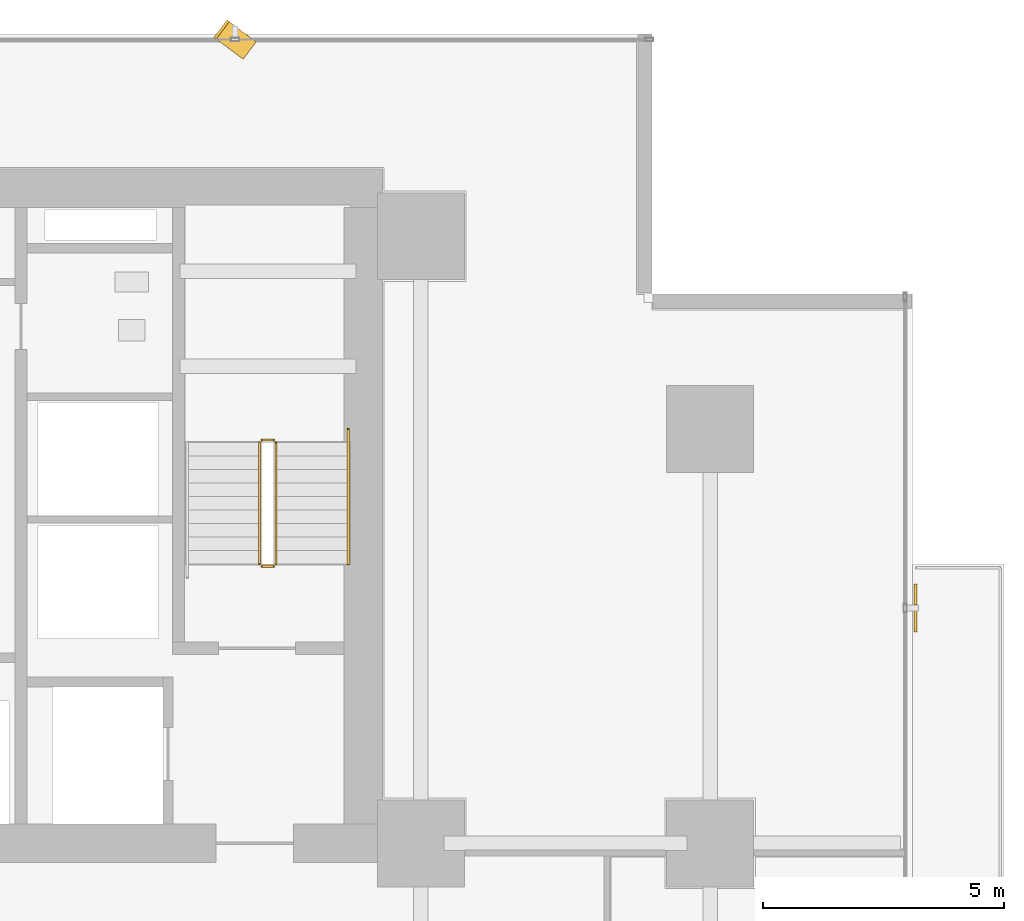
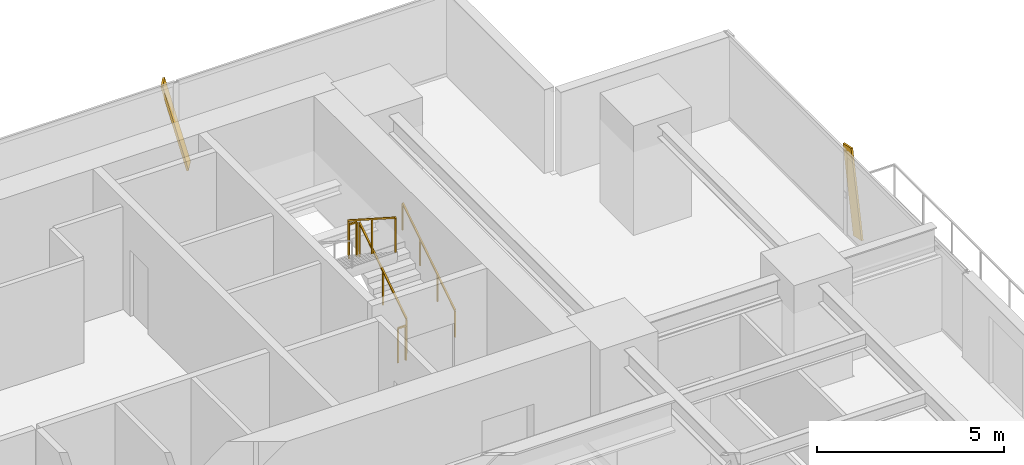
# One storey, part 32 of 33: 5 railings, 2 shading devices.
"""IFC4 building model written with IfcOpenShell, lengths in metres."""

import ifcopenshell
import ifcopenshell.guid

model = None  # the IFC model being written
_history = None  # IfcOwnerHistory: only IFC2X3 demands one
_inside = {}  # id of a spatial element -> (the spatial element, [elements in it])
_under = {}  # id of a project, library or spatial element -> (it, [spatial elements below it])
_declared = {}  # id of a project -> (the project, [libraries it declares])
_typed = {}  # id of a type object -> (the type object, [elements of that type])
_made_of = {}  # id of a material, layer set ... -> (it, [elements and type objects made of it])


def new_model(schema):
    """Start an empty IFC model of exactly this schema.

    Asked for "IFC4X3", IfcOpenShell would pick the latest addendum, in which some entities
    have other attributes; the version numbers below select the first issue.
    IFC2X3 requires an IfcOwnerHistory on every rooted entity: one is made here for all.
    """
    global model, _history
    if schema == "IFC4X3":
        model = ifcopenshell.file(schema_version=(4, 3, 0, 0))
    else:
        model = ifcopenshell.file(schema=schema)
    _inside.clear()
    _under.clear()
    _declared.clear()
    _typed.clear()
    _made_of.clear()
    _history = None
    if model.schema == "IFC2X3":
        org = make("IfcOrganization", Name="unknown")
        user = make(
            "IfcPersonAndOrganization",
            ThePerson=make("IfcPerson", FamilyName="unknown"),
            TheOrganization=org,
        )
        app = make(
            "IfcApplication",
            ApplicationDeveloper=org,
            Version="unknown",
            ApplicationFullName="unknown",
            ApplicationIdentifier="unknown",
        )
        _history = make(
            "IfcOwnerHistory",
            OwningUser=user,
            OwningApplication=app,
            ChangeAction="ADDED",
            CreationDate=0,
        )
    return model


def make(cls, **values):
    """One entity of the class cls with the attributes given. An attribute that is None is left unset."""
    return model.create_entity(
        cls, **{name: value for name, value in values.items() if value is not None}
    )


def rooted(cls, **values):
    """An entity with a GlobalId (a new one), such as an element, a storey or a relation."""
    return make(cls, GlobalId=ifcopenshell.guid.new(), OwnerHistory=_history, **values)


def si_unit(unit_type, name, prefix=None):
    """IfcSIUnit, for example si_unit("LENGTHUNIT", "METRE", prefix="MILLI")."""
    return make("IfcSIUnit", UnitType=unit_type, Prefix=prefix, Name=name)


def assignment(units):
    """IfcUnitAssignment: the units of a project."""
    return None if units is None else make("IfcUnitAssignment", Units=units)


def point(xyz):
    """IfcCartesianPoint."""
    return None if xyz is None else make("IfcCartesianPoint", Coordinates=xyz)


def direction(xyz):
    """IfcDirection."""
    return None if xyz is None else make("IfcDirection", DirectionRatios=xyz)


def frame(location, z_axis=None, x_axis=None):
    """IfcAxis2Placement3D, a coordinate frame: its origin and axes. An axis left out is left unset."""
    return make(
        "IfcAxis2Placement3D",
        Location=point(location),
        Axis=direction(z_axis),
        RefDirection=direction(x_axis),
    )


def frame_2d(location, x_axis=None):
    """IfcAxis2Placement2D, a coordinate frame in the plane: its origin and x axis."""
    return make(
        "IfcAxis2Placement2D", Location=point(location), RefDirection=direction(x_axis)
    )


def origin():
    """The frame at (0, 0, 0) with its axes left unset."""
    return frame((0.0, 0.0, 0.0))


def origin_2d():
    """The frame at (0, 0) in the plane with its x axis left unset."""
    return frame_2d((0.0, 0.0))


def place(relative_to, where):
    """IfcLocalPlacement: puts the frame where relative to a parent placement (None: the world)."""
    return make(
        "IfcLocalPlacement", PlacementRelTo=relative_to, RelativePlacement=where
    )


def context(
    kind, dimensions, precision=None, world=None, true_north=None, identifier=None
):
    """IfcGeometricRepresentationContext, for example the 3D "Model" context."""
    return make(
        "IfcGeometricRepresentationContext",
        ContextIdentifier=identifier,
        ContextType=kind,
        CoordinateSpaceDimension=dimensions,
        Precision=precision,
        WorldCoordinateSystem=world,
        TrueNorth=true_north,
    )


def subcontext(parent, identifier, kind, view, scale=None):
    """IfcGeometricRepresentationSubContext, for example "Body" below "Model"."""
    return make(
        "IfcGeometricRepresentationSubContext",
        ContextIdentifier=identifier,
        ContextType=kind,
        ParentContext=parent,
        TargetScale=scale,
        TargetView=view,
    )


def project(units=None, contexts=None):
    """IfcProject with its units and contexts."""
    return rooted(
        "IfcProject",
        Name="project",
        RepresentationContexts=contexts,
        UnitsInContext=assignment(units),
    )


def spatial(cls, under=None, at=None, **own):
    """A site, building, storey or space (cls), placed at a placement, below another one or the project."""
    s = rooted(cls, ObjectPlacement=at, **own)
    if under is not None:
        _under.setdefault(under.id(), (under, []))[1].append(s)
    return s


def profile(cls, at=None, kind="AREA", **sizes):
    """A parametric profile (cls). Its sizes go by their IFC names, for example OverallWidth=200.0."""
    return make(cls, ProfileType=kind, Position=at, **sizes)


def rectangle(**sizes):
    """IfcRectangleProfileDef."""
    return profile("IfcRectangleProfileDef", **sizes)


def extrude(swept, where, along, depth):
    """IfcExtrudedAreaSolid: the profile swept, set in the frame where, extruded along a direction by depth."""
    return make(
        "IfcExtrudedAreaSolid",
        SweptArea=swept,
        Position=where,
        ExtrudedDirection=direction(along),
        Depth=depth,
    )


def shape(context_of_items, identifier, shape_type, items):
    """IfcShapeRepresentation: the items that make up one representation, for example the "Body"."""
    return make(
        "IfcShapeRepresentation",
        ContextOfItems=context_of_items,
        RepresentationIdentifier=identifier,
        RepresentationType=shape_type,
        Items=items,
    )


def source(mapping_origin, context_of_items, identifier, shape_type, items):
    """IfcRepresentationMap: a shape defined once, which mapped items show again and again."""
    return make(
        "IfcRepresentationMap",
        MappingOrigin=mapping_origin,
        MappedRepresentation=shape(context_of_items, identifier, shape_type, items),
    )


def transform(
    local_origin,
    x_axis=None,
    y_axis=None,
    z_axis=None,
    scale=None,
    scale2=None,
    scale3=None,
    uniform=True,
):
    """IfcCartesianTransformationOperator3D, or its non-uniform kind. x_axis, y_axis, z_axis: its Axis1, 2, 3."""
    if uniform:
        return make(
            "IfcCartesianTransformationOperator3D",
            Axis1=direction(x_axis),
            Axis2=direction(y_axis),
            LocalOrigin=point(local_origin),
            Scale=scale,
            Axis3=direction(z_axis),
        )
    return make(
        "IfcCartesianTransformationOperator3DnonUniform",
        Axis1=direction(x_axis),
        Axis2=direction(y_axis),
        LocalOrigin=point(local_origin),
        Scale=scale,
        Axis3=direction(z_axis),
        Scale2=scale2,
        Scale3=scale3,
    )


def mapped(mapping_source, mapping_target):
    """IfcMappedItem: shows the shape of a source again, moved by a transform."""
    return make(
        "IfcMappedItem", MappingSource=mapping_source, MappingTarget=mapping_target
    )


def material(Name=None, Category=None):
    """IfcMaterial."""
    return make("IfcMaterial", Name=Name, Category=Category)


def material_profile(
    of_material, cross_section, Name=None, Category=None, Priority=None
):
    """IfcMaterialProfile: a cross section and its material."""
    return make(
        "IfcMaterialProfile",
        Name=Name,
        Material=of_material,
        Profile=cross_section,
        Priority=Priority,
        Category=Category,
    )


def profile_set(profiles, Name=None, composite=None):
    """IfcMaterialProfileSet."""
    return make(
        "IfcMaterialProfileSet",
        Name=Name,
        MaterialProfiles=profiles,
        CompositeProfile=composite,
    )


def made_of(thing, what):
    """Note that an element or type object is made of a material, layer set ...; save() writes the relation."""
    if what is not None:
        _made_of.setdefault(what.id(), (what, []))[1].append(thing)
    return thing


def type_object(cls, material=None, **own):
    """A type object (cls), such as IfcWallType, which elements share."""
    return made_of(rooted(cls, **own), material)


def element(
    cls,
    number,
    at=None,
    inside=None,
    cuts=None,
    type_object=None,
    material=None,
    context=None,
    identifier="Body",
    shape_type=None,
    held_by="IfcProductDefinitionShape",
    body=None,
    shapes=None,
    **own,
):
    """One element of the class cls, such as IfcWall. Its Tag is "e" and its number.

    at: its placement. inside: the storey or other place that contains it. cuts: it is an
    opening in that element (IfcRelVoidsElement). A single representation is given by context,
    identifier, shape_type and body (its items); several are given by shapes. held_by: the class
    of the entity that holds the representations. save() writes the other relations.
    """
    e = rooted(cls, Tag="e%d" % number, ObjectPlacement=at, **own)
    if body is not None:
        shapes = [shape(context, identifier, shape_type, body)]
    if shapes is not None:
        e.Representation = make(held_by, Representations=shapes)
    if inside is not None:
        _inside.setdefault(inside.id(), (inside, []))[1].append(e)
    if cuts is not None:
        rooted(
            "IfcRelVoidsElement", RelatingBuildingElement=cuts, RelatedOpeningElement=e
        )
    if type_object is not None:
        _typed.setdefault(type_object.id(), (type_object, []))[1].append(e)
    return made_of(e, material)


def aggregate(whole, parts):
    """IfcRelAggregates: a whole, such as a stair, and the parts it consists of."""
    return rooted("IfcRelAggregates", RelatingObject=whole, RelatedObjects=parts)


def save(model, path):
    """Write the relations noted so far, then the file.

    IfcRelAggregates (storeys below a building ...), IfcRelContainedInSpatialStructure (elements
    in a storey), IfcRelDefinesByType, IfcRelAssociatesMaterial and IfcRelDeclares: one each for
    every whole, place, type object, material and project.
    """
    for whole, parts in _under.values():
        aggregate(whole, parts)
    for where, things in _inside.values():
        rooted(
            "IfcRelContainedInSpatialStructure",
            RelatedElements=things,
            RelatingStructure=where,
        )
    for kind, things in _typed.values():
        rooted("IfcRelDefinesByType", RelatedObjects=things, RelatingType=kind)
    for what, things in _made_of.values():
        rooted("IfcRelAssociatesMaterial", RelatedObjects=things, RelatingMaterial=what)
    for by, libraries in _declared.values():
        rooted("IfcRelDeclares", RelatingContext=by, RelatedDefinitions=libraries)
    model.write(path)


model = new_model("IFC4")

# Units and contexts
model_context = context("Model", 3, precision=1e-05, world=origin(), true_north=direction((0.0, 1.0)))
body_context = subcontext(model_context, "Body", "Model", "MODEL_VIEW")
ifc_project = project(units=[si_unit("LENGTHUNIT", "METRE"), si_unit("AREAUNIT", "SQUARE_METRE"), si_unit("VOLUMEUNIT", "CUBIC_METRE"), si_unit("PLANEANGLEUNIT", "RADIAN"), si_unit("MASSUNIT", "GRAM", prefix="KILO")], contexts=[model_context])

# Site, building, storey
site_placement = place(None, origin())
site = spatial("IfcSite", under=ifc_project, at=site_placement, CompositionType="ELEMENT")
building_placement = place(site_placement, origin())
building = spatial("IfcBuilding", under=site, at=building_placement, Name="Sumidabori Civic Tower", CompositionType="ELEMENT")
storey_placement = place(building_placement, frame((0.0, 0.0, 23.60009765625)))
storey = spatial("IfcBuildingStorey", under=building, at=storey_placement, Name="L05", CompositionType="ELEMENT", Elevation=23.60009765625)

# Railings
ifc_material_1 = material(Name="Stainless Steel Hairline Finish", Category="steel")
railing_type_1 = type_object("IfcRailingType", Name="RL-HANDRAIL", PredefinedType="HANDRAIL", material=ifc_material_1)
railing_1_placement = place(storey_placement, frame((15.2900390625, 16.0, 0.179931640625)))
element("IfcRailing", 1, at=railing_1_placement, inside=storey, type_object=railing_type_1, Name="L05 ST-2 stair handrail 1", PredefinedType="HANDRAIL", context=body_context, shape_type="SweptSolid", body=[
    extrude(rectangle(XDim=0.048095703125, YDim=0.048095703125, at=origin_2d()), frame((0.0, 0.0, 0.8759765625), z_axis=(0.0, 0.840675598268, 0.541539046124), x_axis=(-1.0, 0.0, 0.0)), (0.0, 0.0, 1.0), 3.330810546875),
    extrude(rectangle(XDim=0.0419921875, YDim=0.0419921875, at=origin_2d()), origin(), (0.0, 0.0, 1.0), 0.851806640625),
    extrude(rectangle(XDim=0.0419921875, YDim=0.0419921875, at=origin_2d()), frame((0.0, 0.933349609375, 0.601318359375)), (0.0, 0.0, 1.0), 0.851806640625),
    extrude(rectangle(XDim=0.0419921875, YDim=0.0419921875, at=origin_2d()), frame((0.0, 1.86669921875, 1.202392578125)), (0.0, 0.0, 1.0), 0.851806640625),
    extrude(rectangle(XDim=0.0419921875, YDim=0.0419921875, at=origin_2d()), frame((0.0, 2.800048828125, 1.8037109375)), (0.0, 0.0, 1.0), 0.851806640625),
])
ifc_material_2 = material(Name="Steel SN490", Category="steel")
railing_type_2 = type_object("IfcRailingType", Name="RL-STAIR-GUARD", PredefinedType="GUARDRAIL", material=ifc_material_2)
railing_2_placement = place(storey_placement, frame((13.7900390625, 16.0, 0.179931640625)))
element("IfcRailing", 2, at=railing_2_placement, inside=storey, type_object=railing_type_2, Name="L05 ST-2 stair guard 1", PredefinedType="GUARDRAIL", context=body_context, shape_type="SweptSolid", body=[
    extrude(rectangle(XDim=0.048095703125, YDim=0.048095703125, at=origin_2d()), frame((0.0, 0.0, 1.1259765625), z_axis=(0.0, 0.841199657755, 0.540724639528), x_axis=(-1.0, 0.0, 0.0)), (0.0, 0.0, 1.0), 2.995849609375),
    extrude(rectangle(XDim=0.0419921875, YDim=0.0419921875, at=origin_2d()), origin(), (0.0, 0.0, 1.0), 1.101806640625),
    extrude(rectangle(XDim=0.0419921875, YDim=0.0419921875, at=origin_2d()), frame((0.0, 1.260009765625, 0.81005859375)), (0.0, 0.0, 1.0), 1.101806640625),
    extrude(rectangle(XDim=0.0419921875, YDim=0.0419921875, at=origin_2d()), frame((0.0, 2.52001953125, 1.619873046875)), (0.0, 0.0, 1.0), 1.101806640625),
])
railing_3_placement = place(storey_placement, frame((13.739990234375, 18.570068359375, 1.7998046875)))
element("IfcRailing", 3, at=railing_3_placement, inside=storey, type_object=railing_type_2, Name="L05 ST-2 stair guard 2", PredefinedType="GUARDRAIL", context=body_context, shape_type="SweptSolid", body=[
    extrude(rectangle(XDim=0.048095703125, YDim=0.048095703125, at=origin_2d()), frame((0.0, 0.0, 1.1259765625), z_axis=(-1.0, 0.0, 0.0), x_axis=(0.0, -1.0, 0.0)), (0.0, 0.0, 1.0), 0.239990234375),
    extrude(rectangle(XDim=0.0419921875, YDim=0.0419921875, at=origin_2d()), origin(), (0.0, 0.0, 1.0), 1.101806640625),
    extrude(rectangle(XDim=0.0419921875, YDim=0.0419921875, at=origin_2d()), frame((-0.239990234375, 0.0, 0.0)), (0.0, 0.0, 1.0), 1.101806640625),
])
railing_4_placement = place(storey_placement, frame((13.449951171875, 18.52001953125, 1.97998046875)))
element("IfcRailing", 4, at=railing_4_placement, inside=storey, type_object=railing_type_2, Name="L05 ST-2 stair guard 3", PredefinedType="GUARDRAIL", context=body_context, shape_type="SweptSolid", body=[
    extrude(rectangle(XDim=0.048095703125, YDim=0.048095703125, at=origin_2d()), frame((0.0, 0.0, 1.1259765625), z_axis=(0.0, -0.841199657755, 0.540724639528), x_axis=(1.0, 0.0, 0.0)), (0.0, 0.0, 1.0), 2.995849609375),
    extrude(rectangle(XDim=0.0419921875, YDim=0.0419921875, at=origin_2d()), origin(), (0.0, 0.0, 1.0), 1.101806640625),
    extrude(rectangle(XDim=0.0419921875, YDim=0.0419921875, at=origin_2d()), frame((0.0, -1.260009765625, 0.81005859375)), (0.0, 0.0, 1.0), 1.101806640625),
    extrude(rectangle(XDim=0.0419921875, YDim=0.0419921875, at=origin_2d()), frame((0.0, -2.52001953125, 1.619873046875)), (0.0, 0.0, 1.0), 1.101806640625),
])
railing_5_placement = place(storey_placement, frame((13.739990234375, 15.949951171875, 0.0)))
element("IfcRailing", 5, at=railing_5_placement, inside=storey, type_object=railing_type_2, Name="L05 ST-2 stair guard 4", PredefinedType="GUARDRAIL", context=body_context, shape_type="SweptSolid", body=[
    extrude(rectangle(XDim=0.048095703125, YDim=0.048095703125, at=origin_2d()), frame((0.0, 0.0, 1.1259765625), z_axis=(-1.0, 0.0, 0.0), x_axis=(0.0, -1.0, 0.0)), (0.0, 0.0, 1.0), 0.239990234375),
    extrude(rectangle(XDim=0.0419921875, YDim=0.0419921875, at=origin_2d()), origin(), (0.0, 0.0, 1.0), 1.101806640625),
    extrude(rectangle(XDim=0.0419921875, YDim=0.0419921875, at=origin_2d()), frame((-0.239990234375, 0.0, 0.0)), (0.0, 0.0, 1.0), 1.101806640625),
])

# Shading devices
ifc_material_3 = material(Name="Anodised Bronze Aluminium AW-6063-T6", Category="aluminium")
ifc_material_profile = material_profile(ifc_material_3, rectangle(XDim=0.06005859375, YDim=0.449951171875, at=origin_2d()), Name="BRONZE FIN 450x60")
ifc_profile_set = profile_set([ifc_material_profile], Name="Anodised Bronze Aluminium AW-6063-T6")
shading_device_type = type_object("IfcShadingDeviceType", Name="SH-FIN-450", PredefinedType="USERDEFINED", material=ifc_profile_set)
shared_shape_1 = source(origin(), body_context, "Body", "SweptSolid", [
    extrude(rectangle(XDim=0.06005859375, YDim=0.449951171875, at=origin_2d()), origin(), (0.0, 0.0, 1.0), 2.769775390625),
])
shading_device_1_placement = place(storey_placement, frame((13.221923828125, 26.669921875, 0.02001953125), z_axis=(-0.20211139135, 0.151693721986, 0.967543280787), x_axis=(0.773832092044, -0.580795913828, 0.252705361643)))
element("IfcShadingDevice", 6, at=shading_device_1_placement, inside=storey, type_object=shading_device_type, Name="Bronze Anodised Diagonal Fin L05-01", ObjectType="FIN", PredefinedType="USERDEFINED", context=body_context, shape_type="MappedRepresentation", body=[
    mapped(shared_shape_1, transform((0.0, 0.0, 0.0), x_axis=(1.0, 0.0, 0.0), y_axis=(0.0, 1.0, 0.0), z_axis=(0.0, 0.0, 1.0), scale=1.0)),
])
shared_shape_2 = source(origin(), body_context, "Body", "SweptSolid", [
    extrude(rectangle(XDim=0.06005859375, YDim=0.449951171875, at=origin_2d()), origin(), (0.0, 0.0, 1.0), 2.73779296875),
])
shading_device_2_placement = place(storey_placement, frame((27.06005859375, 14.804931640625, 0.02001953125), z_axis=(0.0, 0.204563143937, 0.978853370093), x_axis=(-1.0, 0.0, 0.0)))
element("IfcShadingDevice", 7, at=shading_device_2_placement, inside=storey, type_object=shading_device_type, Name="Bronze Anodised Diagonal Fin L05-01", ObjectType="FIN", PredefinedType="USERDEFINED", context=body_context, shape_type="MappedRepresentation", body=[
    mapped(shared_shape_2, transform((0.0, 0.0, 0.0), x_axis=(1.0, 0.0, 0.0), y_axis=(0.0, 1.0, 0.0), z_axis=(0.0, 0.0, 1.0), scale=1.0)),
])

save(model, "model.ifc")
